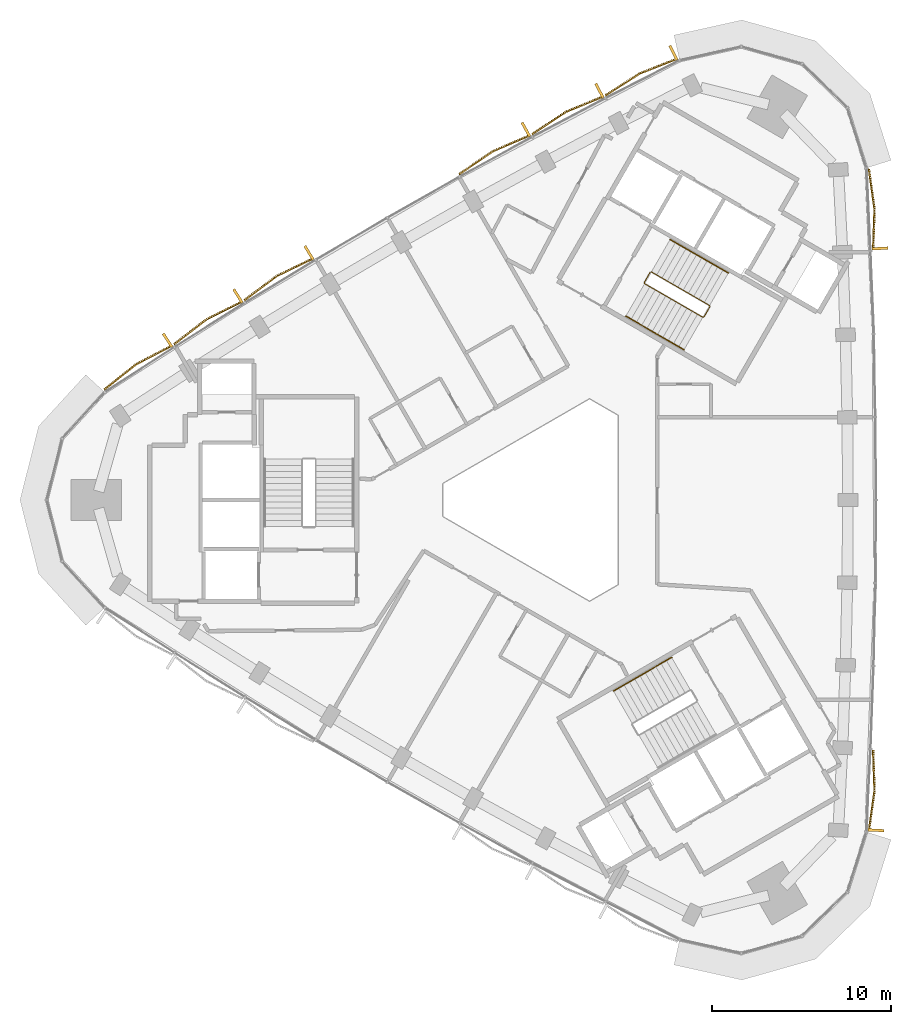
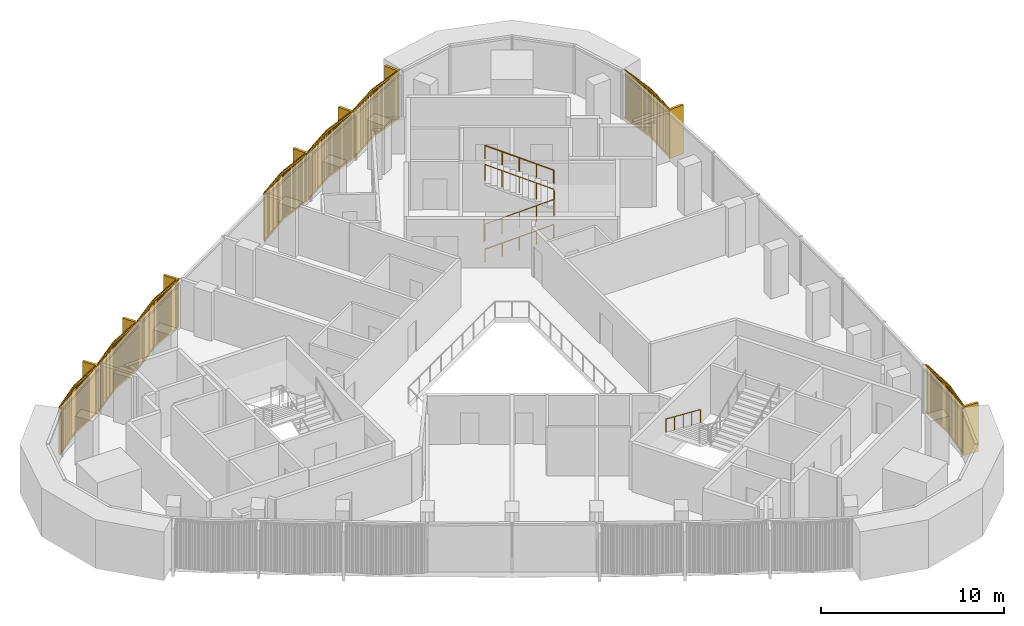
# One storey, part 13 of 14: 8 coverings, 4 railings.
"""IFC4 building model written with IfcOpenShell, lengths in metres."""

from ifc_helpers import new_model, si_unit, direction, frame, frame_2d, origin, origin_2d, place, context, subcontext, project, spatial, rectangle, circle, extrude, source, transform, mapped, material, type_object, element, save


model = new_model("IFC4")

# Units and contexts
model_context = context("Model", 3, precision=1e-05, world=origin(), true_north=direction((0.0, 1.0)))
body_context = subcontext(model_context, "Body", "Model", "MODEL_VIEW")
ifc_project = project(units=[si_unit("LENGTHUNIT", "METRE"), si_unit("AREAUNIT", "SQUARE_METRE"), si_unit("VOLUMEUNIT", "CUBIC_METRE"), si_unit("PLANEANGLEUNIT", "RADIAN"), si_unit("MASSUNIT", "GRAM", prefix="KILO")], contexts=[model_context])

# Site, building, storey
site_placement = place(None, origin())
site = spatial("IfcSite", under=ifc_project, at=site_placement, CompositionType="ELEMENT")
building_placement = place(site_placement, origin())
building = spatial("IfcBuilding", under=site, at=building_placement, Name="Tamra Quay Hotel Tower", CompositionType="ELEMENT")
storey_placement = place(building_placement, frame((0.0, 0.0, 228.60009765625)))
storey = spatial("IfcBuildingStorey", under=building, at=storey_placement, Name="L57", CompositionType="ELEMENT", Elevation=228.60009765625)

# Railings
ifc_material_1 = material(Name="Stair guard 1100")
railing_type_1 = type_object("IfcRailingType", Name="Stair guard 1100", PredefinedType="GUARDRAIL", material=ifc_material_1)
railing_1_placement = place(storey_placement, frame((5.595458984375, 12.751953125, 0.0)))
element("IfcRailing", 1, at=railing_1_placement, inside=storey, type_object=railing_type_1, Name="GR", PredefinedType="GUARDRAIL", context=body_context, shape_type="SweptSolid", body=[
    extrude(circle(Radius=0.02392578125, at=origin_2d()), frame((0.0, 0.0, 1.076171875), z_axis=(-0.499765215335, -0.866160914346, 0.0), x_axis=(0.866160914346, -0.499765215335, 0.0)), (0.0, 0.0, 1.0), 0.658935546875),
    extrude(circle(Radius=0.02392578125, at=origin_2d()), frame((-0.329345703125, -0.57080078125, 1.076171875), z_axis=(0.110525977783, -0.411156637351, 0.904839338113), x_axis=(0.965715946433, 0.259601060869, 0.0)), (0.0, 0.0, 1.0), 0.165771484375),
    extrude(circle(Radius=0.02392578125, at=origin_2d()), frame((-0.31103515625, -0.638916015625, 1.22607421875), z_axis=(0.793078462799, -0.457933869594, 0.401650498471), x_axis=(0.500040788363, 0.866001853331, 0.0)), (0.0, 0.0, 1.0), 4.10791015625),
    extrude(circle(Radius=0.02392578125, at=origin_2d()), frame((2.94677734375, -2.52001953125, 2.8759765625), z_axis=(0.965948051503, 0.258736085224, 0.0), x_axis=(-0.258736085224, 0.965948051503, 0.0)), (0.0, 0.0, 1.0), 0.07080078125),
    extrude(circle(Radius=0.02392578125, at=origin_2d()), frame((3.01513671875, -2.501708984375, 2.8759765625), z_axis=(0.500043078269, 0.866000531106, 0.0), x_axis=(-0.866000531106, 0.500043078269, 0.0)), (0.0, 0.0, 1.0), 0.6591796875),
    extrude(circle(Radius=0.02392578125, at=origin_2d()), frame((3.3447265625, -1.930908203125, 2.8759765625), z_axis=(-0.110378772244, 0.410609032747, 0.905105932399), x_axis=(-0.965715946433, -0.259601060869, 0.0)), (0.0, 0.0, 1.0), 0.165771484375),
    extrude(circle(Radius=0.02392578125, at=origin_2d()), frame((3.326416015625, -1.86279296875, 3.02587890625), z_axis=(-0.793100512587, 0.457912285461, 0.401631567183), x_axis=(-0.500012686397, -0.866018079166, 0.0)), (0.0, 0.0, 1.0), 4.10791015625),
    extrude(circle(Radius=0.02099609375, at=origin_2d()), origin(), (0.0, 0.0, 1.0), 1.052001953125),
    extrude(circle(Radius=0.02099609375, at=origin_2d()), frame((-0.329345703125, -0.57080078125, 0.0)), (0.0, 0.0, 1.0), 1.052001953125),
    extrude(circle(Radius=0.02099609375, at=origin_2d()), frame((-0.31103515625, -0.638916015625, 0.14990234375)), (0.0, 0.0, 1.0), 1.052001953125),
    extrude(circle(Radius=0.02099609375, at=origin_2d()), frame((0.50341796875, -1.109130859375, 0.5625)), (0.0, 0.0, 1.0), 1.052001953125),
    extrude(circle(Radius=0.02099609375, at=origin_2d()), frame((1.31787109375, -1.57958984375, 0.974853515625)), (0.0, 0.0, 1.0), 1.052001953125),
    extrude(circle(Radius=0.02099609375, at=origin_2d()), frame((2.13232421875, -2.0498046875, 1.38720703125)), (0.0, 0.0, 1.0), 1.052001953125),
    extrude(circle(Radius=0.02099609375, at=origin_2d()), frame((2.94677734375, -2.52001953125, 1.7998046875)), (0.0, 0.0, 1.0), 1.052001953125),
    extrude(circle(Radius=0.02099609375, at=origin_2d()), frame((3.01513671875, -2.501708984375, 1.7998046875)), (0.0, 0.0, 1.0), 1.052001953125),
    extrude(circle(Radius=0.02099609375, at=origin_2d()), frame((3.3447265625, -1.930908203125, 1.7998046875)), (0.0, 0.0, 1.0), 1.052001953125),
    extrude(circle(Radius=0.02099609375, at=origin_2d()), frame((3.326416015625, -1.86279296875, 1.949951171875)), (0.0, 0.0, 1.0), 1.052001953125),
    extrude(circle(Radius=0.02099609375, at=origin_2d()), frame((2.511962890625, -1.392578125, 2.3623046875)), (0.0, 0.0, 1.0), 1.052001953125),
    extrude(circle(Radius=0.02099609375, at=origin_2d()), frame((1.697265625, -0.92236328125, 2.77490234375)), (0.0, 0.0, 1.0), 1.052001953125),
    extrude(circle(Radius=0.02099609375, at=origin_2d()), frame((0.8828125, -0.451904296875, 3.1875)), (0.0, 0.0, 1.0), 1.052001953125),
    extrude(circle(Radius=0.02099609375, at=origin_2d()), frame((0.068359375, 0.018310546875, 3.599853515625)), (0.0, 0.0, 1.0), 1.052001953125),
])
ifc_material_2 = material(Name="Stair handrail 900")
railing_type_2 = type_object("IfcRailingType", Name="Stair handrail 900", PredefinedType="HANDRAIL", material=ifc_material_2)
railing_2_placement = place(storey_placement, frame((4.234375, 10.294189453125, 0.14990234375)))
element("IfcRailing", 2, at=railing_2_placement, inside=storey, type_object=railing_type_2, Name="HR", PredefinedType="HANDRAIL", context=body_context, shape_type="SweptSolid", body=[
    extrude(circle(Radius=0.02392578125, at=origin_2d()), frame((0.0, 0.0, 0.8759765625), z_axis=(0.793122095483, -0.45786531462, 0.401642496911), x_axis=(0.499964013922, 0.86604617936, 0.0)), (0.0, 0.0, 1.0), 4.10791015625),
    extrude(circle(Radius=0.02099609375, at=origin_2d()), origin(), (0.0, 0.0, 1.0), 0.851806640625),
    extrude(circle(Radius=0.02099609375, at=origin_2d()), frame((0.814453125, -0.47021484375, 0.41259765625)), (0.0, 0.0, 1.0), 0.851806640625),
    extrude(circle(Radius=0.02099609375, at=origin_2d()), frame((1.62890625, -0.9404296875, 0.824951171875)), (0.0, 0.0, 1.0), 0.851806640625),
    extrude(circle(Radius=0.02099609375, at=origin_2d()), frame((2.443603515625, -1.41064453125, 1.2373046875)), (0.0, 0.0, 1.0), 0.851806640625),
    extrude(circle(Radius=0.02099609375, at=origin_2d()), frame((3.258056640625, -1.880859375, 1.64990234375)), (0.0, 0.0, 1.0), 0.851806640625),
])
railing_3_placement = place(storey_placement, frame((9.971923828125, 12.7080078125, 1.949951171875)))
element("IfcRailing", 3, at=railing_3_placement, inside=storey, type_object=railing_type_2, Name="HR", PredefinedType="HANDRAIL", context=body_context, shape_type="SweptSolid", body=[
    extrude(circle(Radius=0.02392578125, at=origin_2d()), frame((0.0, 0.0, 0.8759765625), z_axis=(-0.793122095483, 0.45786531462, 0.401642496911), x_axis=(-0.499964013922, -0.86604617936, 0.0)), (0.0, 0.0, 1.0), 4.10791015625),
    extrude(circle(Radius=0.02099609375, at=origin_2d()), origin(), (0.0, 0.0, 1.0), 0.851806640625),
    extrude(circle(Radius=0.02099609375, at=origin_2d()), frame((-0.814453125, 0.47021484375, 0.41259765625)), (0.0, 0.0, 1.0), 0.851806640625),
    extrude(circle(Radius=0.02099609375, at=origin_2d()), frame((-1.62890625, 0.9404296875, 0.824951171875)), (0.0, 0.0, 1.0), 0.851806640625),
    extrude(circle(Radius=0.02099609375, at=origin_2d()), frame((-2.443603515625, 1.41064453125, 1.2373046875)), (0.0, 0.0, 1.0), 0.851806640625),
    extrude(circle(Radius=0.02099609375, at=origin_2d()), frame((-3.258056640625, 1.880859375, 1.64990234375)), (0.0, 0.0, 1.0), 0.851806640625),
])
railing_4_placement = place(storey_placement, frame((6.7978515625, -8.814208984375, 0.14990234375)))
element("IfcRailing", 4, at=railing_4_placement, inside=storey, type_object=railing_type_2, Name="HR", PredefinedType="HANDRAIL", context=body_context, shape_type="SweptSolid", body=[
    extrude(circle(Radius=0.02392578125, at=origin_2d()), frame((0.0, 0.0, 0.8759765625), z_axis=(-0.79310004713, -0.457886897714, 0.401661429744), x_axis=(0.499992114976, -0.866029956157, 0.0)), (0.0, 0.0, 1.0), 4.107666015625),
    extrude(circle(Radius=0.02099609375, at=origin_2d()), origin(), (0.0, 0.0, 1.0), 0.851806640625),
    extrude(circle(Radius=0.02099609375, at=origin_2d()), frame((-0.814453125, -0.47021484375, 0.41259765625)), (0.0, 0.0, 1.0), 0.851806640625),
    extrude(circle(Radius=0.02099609375, at=origin_2d()), frame((-1.62890625, -0.9404296875, 0.824951171875)), (0.0, 0.0, 1.0), 0.851806640625),
    extrude(circle(Radius=0.02099609375, at=origin_2d()), frame((-2.443359375, -1.41064453125, 1.2373046875)), (0.0, 0.0, 1.0), 0.851806640625),
    extrude(circle(Radius=0.02099609375, at=origin_2d()), frame((-3.2578125, -1.880859375, 1.64990234375)), (0.0, 0.0, 1.0), 0.851806640625),
])

# Coverings
ifc_material_3 = material(Name="Terracotta baguette extruded", Category="masonry")
covering_type_1 = type_object("IfcCoveringType", Name="BAGUETTE SCREEN E-V H3250", PredefinedType="USERDEFINED", material=ifc_material_3)
shared_shape_1 = source(origin(), body_context, "Body", "SweptSolid", [
    extrude(rectangle(XDim=2.291259765625, YDim=0.06005859375, at=frame_2d((1.1455078125, 0.030029296875))), frame((-2.287841796875, -0.057861328125, -0.1201171875), z_axis=(0.0, 0.0, 1.0), x_axis=(0.996194698092, -0.087155742748, 0.0)), (0.0, 0.0, 1.0), 0.1201171875),
    extrude(rectangle(XDim=2.291259765625, YDim=0.06005859375, at=frame_2d((1.1455078125, 0.030029296875))), frame((-2.287841796875, -0.057861328125, -3.25), z_axis=(0.0, 0.0, 1.0), x_axis=(0.996194698092, -0.087155742748, 0.0)), (0.0, 0.0, 1.0), 0.1201171875),
    extrude(rectangle(XDim=0.070068359375, YDim=0.10009765625, at=frame_2d((0.03515625, 0.050048828125))), frame((-2.267822265625, -0.13232421875, -3.18994140625)), (0.0, 0.0, 1.0), 3.1298828125),
    extrude(rectangle(XDim=0.070068359375, YDim=0.10009765625, at=frame_2d((0.03515625, 0.050048828125))), frame((-2.168701171875, -0.14111328125, -3.18994140625)), (0.0, 0.0, 1.0), 3.1298828125),
    extrude(rectangle(XDim=0.070068359375, YDim=0.10009765625, at=frame_2d((0.03515625, 0.050048828125))), frame((-2.0693359375, -0.149658203125, -3.18994140625)), (0.0, 0.0, 1.0), 3.1298828125),
    extrude(rectangle(XDim=0.070068359375, YDim=0.10009765625, at=frame_2d((0.03515625, 0.050048828125))), frame((-1.97021484375, -0.158447265625, -3.18994140625)), (0.0, 0.0, 1.0), 3.1298828125),
    extrude(rectangle(XDim=0.070068359375, YDim=0.10009765625, at=frame_2d((0.03515625, 0.050048828125))), frame((-1.870849609375, -0.1669921875, -3.18994140625)), (0.0, 0.0, 1.0), 3.1298828125),
    extrude(rectangle(XDim=0.070068359375, YDim=0.10009765625, at=frame_2d((0.03515625, 0.050048828125))), frame((-1.771728515625, -0.17578125, -3.18994140625)), (0.0, 0.0, 1.0), 3.1298828125),
    extrude(rectangle(XDim=0.070068359375, YDim=0.10009765625, at=frame_2d((0.03515625, 0.050048828125))), frame((-1.67236328125, -0.184326171875, -3.18994140625)), (0.0, 0.0, 1.0), 3.1298828125),
    extrude(rectangle(XDim=0.070068359375, YDim=0.10009765625, at=frame_2d((0.03515625, 0.050048828125))), frame((-1.5732421875, -0.193115234375, -3.18994140625)), (0.0, 0.0, 1.0), 3.1298828125),
    extrude(rectangle(XDim=0.070068359375, YDim=0.10009765625, at=frame_2d((0.03515625, 0.050048828125))), frame((-1.473876953125, -0.201904296875, -3.18994140625)), (0.0, 0.0, 1.0), 3.1298828125),
    extrude(rectangle(XDim=0.070068359375, YDim=0.10009765625, at=frame_2d((0.03515625, 0.050048828125))), frame((-1.374755859375, -0.21044921875, -3.18994140625)), (0.0, 0.0, 1.0), 3.1298828125),
    extrude(rectangle(XDim=0.070068359375, YDim=0.10009765625, at=frame_2d((0.03515625, 0.050048828125))), frame((-1.275390625, -0.21923828125, -3.18994140625)), (0.0, 0.0, 1.0), 3.1298828125),
    extrude(rectangle(XDim=0.070068359375, YDim=0.10009765625, at=frame_2d((0.03515625, 0.050048828125))), frame((-1.17626953125, -0.227783203125, -3.18994140625)), (0.0, 0.0, 1.0), 3.1298828125),
    extrude(rectangle(XDim=0.070068359375, YDim=0.10009765625, at=frame_2d((0.03515625, 0.050048828125))), frame((-1.076904296875, -0.236572265625, -3.18994140625)), (0.0, 0.0, 1.0), 3.1298828125),
    extrude(rectangle(XDim=0.070068359375, YDim=0.10009765625, at=frame_2d((0.03515625, 0.050048828125))), frame((-0.977783203125, -0.2451171875, -3.18994140625)), (0.0, 0.0, 1.0), 3.1298828125),
    extrude(rectangle(XDim=0.070068359375, YDim=0.10009765625, at=frame_2d((0.03515625, 0.050048828125))), frame((-0.87841796875, -0.25390625, -3.18994140625)), (0.0, 0.0, 1.0), 3.1298828125),
    extrude(rectangle(XDim=0.070068359375, YDim=0.10009765625, at=frame_2d((0.03515625, 0.050048828125))), frame((-0.779296875, -0.2626953125, -3.18994140625)), (0.0, 0.0, 1.0), 3.1298828125),
    extrude(rectangle(XDim=0.070068359375, YDim=0.10009765625, at=frame_2d((0.03515625, 0.050048828125))), frame((-0.679931640625, -0.271240234375, -3.18994140625)), (0.0, 0.0, 1.0), 3.1298828125),
    extrude(rectangle(XDim=0.070068359375, YDim=0.10009765625, at=frame_2d((0.03515625, 0.050048828125))), frame((-0.580810546875, -0.280029296875, -3.18994140625)), (0.0, 0.0, 1.0), 3.1298828125),
    extrude(rectangle(XDim=0.070068359375, YDim=0.10009765625, at=frame_2d((0.03515625, 0.050048828125))), frame((-0.481689453125, -0.28857421875, -3.18994140625)), (0.0, 0.0, 1.0), 3.1298828125),
    extrude(rectangle(XDim=0.070068359375, YDim=0.10009765625, at=frame_2d((0.03515625, 0.050048828125))), frame((-0.38232421875, -0.29736328125, -3.18994140625)), (0.0, 0.0, 1.0), 3.1298828125),
    extrude(rectangle(XDim=0.070068359375, YDim=0.10009765625, at=frame_2d((0.03515625, 0.050048828125))), frame((-0.283203125, -0.305908203125, -3.18994140625)), (0.0, 0.0, 1.0), 3.1298828125),
    extrude(rectangle(XDim=0.070068359375, YDim=0.10009765625, at=frame_2d((0.03515625, 0.050048828125))), frame((-0.183837890625, -0.314697265625, -3.18994140625)), (0.0, 0.0, 1.0), 3.1298828125),
    extrude(rectangle(XDim=0.070068359375, YDim=0.10009765625, at=frame_2d((0.03515625, 0.050048828125))), frame((-0.084716796875, -0.3232421875, -3.18994140625)), (0.0, 0.0, 1.0), 3.1298828125),
    extrude(rectangle(XDim=2.291259765625, YDim=0.06005859375, at=frame_2d((1.1455078125, 0.030029296875))), frame((0.005126953125, -0.257568359375, -0.1201171875), z_axis=(0.0, 0.0, 1.0), x_axis=(0.996194698092, 0.087155742748, 0.0)), (0.0, 0.0, 1.0), 0.1201171875),
    extrude(rectangle(XDim=2.291259765625, YDim=0.06005859375, at=frame_2d((1.1455078125, 0.030029296875))), frame((0.005126953125, -0.257568359375, -3.25), z_axis=(0.0, 0.0, 1.0), x_axis=(0.996194698092, 0.087155742748, 0.0)), (0.0, 0.0, 1.0), 0.1201171875),
    extrude(rectangle(XDim=0.070068359375, YDim=0.10009765625, at=frame_2d((0.03515625, 0.050048828125))), frame((0.0146484375, -0.3232421875, -3.18994140625)), (0.0, 0.0, 1.0), 3.1298828125),
    extrude(rectangle(XDim=0.070068359375, YDim=0.10009765625, at=frame_2d((0.03515625, 0.050048828125))), frame((0.11376953125, -0.314697265625, -3.18994140625)), (0.0, 0.0, 1.0), 3.1298828125),
    extrude(rectangle(XDim=0.070068359375, YDim=0.10009765625, at=frame_2d((0.03515625, 0.050048828125))), frame((0.213134765625, -0.305908203125, -3.18994140625)), (0.0, 0.0, 1.0), 3.1298828125),
    extrude(rectangle(XDim=0.070068359375, YDim=0.10009765625, at=frame_2d((0.03515625, 0.050048828125))), frame((0.312255859375, -0.29736328125, -3.18994140625)), (0.0, 0.0, 1.0), 3.1298828125),
    extrude(rectangle(XDim=0.070068359375, YDim=0.10009765625, at=frame_2d((0.03515625, 0.050048828125))), frame((0.41162109375, -0.28857421875, -3.18994140625)), (0.0, 0.0, 1.0), 3.1298828125),
    extrude(rectangle(XDim=0.070068359375, YDim=0.10009765625, at=frame_2d((0.03515625, 0.050048828125))), frame((0.5107421875, -0.280029296875, -3.18994140625)), (0.0, 0.0, 1.0), 3.1298828125),
    extrude(rectangle(XDim=0.070068359375, YDim=0.10009765625, at=frame_2d((0.03515625, 0.050048828125))), frame((0.610107421875, -0.271240234375, -3.18994140625)), (0.0, 0.0, 1.0), 3.1298828125),
    extrude(rectangle(XDim=0.070068359375, YDim=0.10009765625, at=frame_2d((0.03515625, 0.050048828125))), frame((0.709228515625, -0.2626953125, -3.18994140625)), (0.0, 0.0, 1.0), 3.1298828125),
    extrude(rectangle(XDim=0.070068359375, YDim=0.10009765625, at=frame_2d((0.03515625, 0.050048828125))), frame((0.80859375, -0.25390625, -3.18994140625)), (0.0, 0.0, 1.0), 3.1298828125),
    extrude(rectangle(XDim=0.070068359375, YDim=0.10009765625, at=frame_2d((0.03515625, 0.050048828125))), frame((0.90771484375, -0.2451171875, -3.18994140625)), (0.0, 0.0, 1.0), 3.1298828125),
    extrude(rectangle(XDim=0.070068359375, YDim=0.10009765625, at=frame_2d((0.03515625, 0.050048828125))), frame((1.007080078125, -0.236572265625, -3.18994140625)), (0.0, 0.0, 1.0), 3.1298828125),
    extrude(rectangle(XDim=0.070068359375, YDim=0.10009765625, at=frame_2d((0.03515625, 0.050048828125))), frame((1.106201171875, -0.227783203125, -3.18994140625)), (0.0, 0.0, 1.0), 3.1298828125),
    extrude(rectangle(XDim=0.070068359375, YDim=0.10009765625, at=frame_2d((0.03515625, 0.050048828125))), frame((1.20556640625, -0.21923828125, -3.18994140625)), (0.0, 0.0, 1.0), 3.1298828125),
    extrude(rectangle(XDim=0.070068359375, YDim=0.10009765625, at=frame_2d((0.03515625, 0.050048828125))), frame((1.3046875, -0.21044921875, -3.18994140625)), (0.0, 0.0, 1.0), 3.1298828125),
    extrude(rectangle(XDim=0.070068359375, YDim=0.10009765625, at=frame_2d((0.03515625, 0.050048828125))), frame((1.404052734375, -0.201904296875, -3.18994140625)), (0.0, 0.0, 1.0), 3.1298828125),
    extrude(rectangle(XDim=0.070068359375, YDim=0.10009765625, at=frame_2d((0.03515625, 0.050048828125))), frame((1.503173828125, -0.193115234375, -3.18994140625)), (0.0, 0.0, 1.0), 3.1298828125),
    extrude(rectangle(XDim=0.070068359375, YDim=0.10009765625, at=frame_2d((0.03515625, 0.050048828125))), frame((1.6025390625, -0.184326171875, -3.18994140625)), (0.0, 0.0, 1.0), 3.1298828125),
    extrude(rectangle(XDim=0.070068359375, YDim=0.10009765625, at=frame_2d((0.03515625, 0.050048828125))), frame((1.70166015625, -0.17578125, -3.18994140625)), (0.0, 0.0, 1.0), 3.1298828125),
    extrude(rectangle(XDim=0.070068359375, YDim=0.10009765625, at=frame_2d((0.03515625, 0.050048828125))), frame((1.801025390625, -0.1669921875, -3.18994140625)), (0.0, 0.0, 1.0), 3.1298828125),
    extrude(rectangle(XDim=0.070068359375, YDim=0.10009765625, at=frame_2d((0.03515625, 0.050048828125))), frame((1.900146484375, -0.158447265625, -3.18994140625)), (0.0, 0.0, 1.0), 3.1298828125),
    extrude(rectangle(XDim=0.070068359375, YDim=0.10009765625, at=frame_2d((0.03515625, 0.050048828125))), frame((1.99951171875, -0.149658203125, -3.18994140625)), (0.0, 0.0, 1.0), 3.1298828125),
    extrude(rectangle(XDim=0.070068359375, YDim=0.10009765625, at=frame_2d((0.03515625, 0.050048828125))), frame((2.0986328125, -0.14111328125, -3.18994140625)), (0.0, 0.0, 1.0), 3.1298828125),
    extrude(rectangle(XDim=0.070068359375, YDim=0.10009765625, at=frame_2d((0.03515625, 0.050048828125))), frame((2.197998046875, -0.13232421875, -3.18994140625)), (0.0, 0.0, 1.0), 3.1298828125),
    extrude(rectangle(XDim=0.14990234375, YDim=0.902099609375, at=frame_2d((0.074951171875, 0.451171875))), frame((-2.282470703125, -0.89990234375, -3.25)), (0.0, 0.0, 1.0), 3.25),
])
for number, where, z_axis, x_axis, name in (
    (5, (17.899169921875, -16.26611328125, 3.25), (0.0, 0.0, 1.0), (0.051403368539, 0.998677972974, 0.0), "Baguette screen L57.E.f00"),
    (6, (17.899169921875, 16.26611328125, 3.25), (0.0, 0.0, 1.0), (-0.051403368539, 0.998677972974, 0.0), "Baguette screen L57.E.f07"),
):
    element("IfcCovering", number, at=place(storey_placement, frame(where, z_axis=z_axis, x_axis=x_axis)), inside=storey, type_object=covering_type_1, Name=name, ObjectType="BAGUETTE SCREEN", PredefinedType="USERDEFINED", context=body_context, shape_type="MappedRepresentation", body=[
        mapped(shared_shape_1, transform((0.0, 0.0, 0.0), scale=1.0)),
    ])
covering_type_2 = type_object("IfcCoveringType", Name="BAGUETTE SCREEN NW-V H3250", PredefinedType="USERDEFINED", material=ifc_material_3)
shared_shape_2 = source(origin(), body_context, "Body", "SweptSolid", [
    extrude(rectangle(XDim=2.29296875, YDim=0.06005859375, at=frame_2d((1.146484375, 0.030029296875))), frame((-2.288330078125, -0.0576171875, -0.1201171875), z_axis=(0.0, 0.0, 1.0), x_axis=(0.995396198367, -0.09584575252, 0.0)), (0.0, 0.0, 1.0), 0.1201171875),
    extrude(rectangle(XDim=2.29296875, YDim=0.06005859375, at=frame_2d((1.146484375, 0.030029296875))), frame((-2.288330078125, -0.0576171875, -3.25), z_axis=(0.0, 0.0, 1.0), x_axis=(0.995396198367, -0.09584575252, 0.0)), (0.0, 0.0, 1.0), 0.1201171875),
    extrude(rectangle(XDim=0.070068359375, YDim=0.10009765625, at=frame_2d((0.03515625, 0.050048828125))), frame((-2.267822265625, -0.1328125, -3.18994140625)), (0.0, 0.0, 1.0), 3.1298828125),
    extrude(rectangle(XDim=0.070068359375, YDim=0.10009765625, at=frame_2d((0.03515625, 0.050048828125))), frame((-2.168701171875, -0.142333984375, -3.18994140625)), (0.0, 0.0, 1.0), 3.1298828125),
    extrude(rectangle(XDim=0.070068359375, YDim=0.10009765625, at=frame_2d((0.03515625, 0.050048828125))), frame((-2.0693359375, -0.15185546875, -3.18994140625)), (0.0, 0.0, 1.0), 3.1298828125),
    extrude(rectangle(XDim=0.070068359375, YDim=0.10009765625, at=frame_2d((0.03515625, 0.050048828125))), frame((-1.97021484375, -0.161376953125, -3.18994140625)), (0.0, 0.0, 1.0), 3.1298828125),
    extrude(rectangle(XDim=0.070068359375, YDim=0.10009765625, at=frame_2d((0.03515625, 0.050048828125))), frame((-1.870849609375, -0.1708984375, -3.18994140625)), (0.0, 0.0, 1.0), 3.1298828125),
    extrude(rectangle(XDim=0.070068359375, YDim=0.10009765625, at=frame_2d((0.03515625, 0.050048828125))), frame((-1.771728515625, -0.1806640625, -3.18994140625)), (0.0, 0.0, 1.0), 3.1298828125),
    extrude(rectangle(XDim=0.070068359375, YDim=0.10009765625, at=frame_2d((0.03515625, 0.050048828125))), frame((-1.67236328125, -0.190185546875, -3.18994140625)), (0.0, 0.0, 1.0), 3.1298828125),
    extrude(rectangle(XDim=0.070068359375, YDim=0.10009765625, at=frame_2d((0.03515625, 0.050048828125))), frame((-1.5732421875, -0.19970703125, -3.18994140625)), (0.0, 0.0, 1.0), 3.1298828125),
    extrude(rectangle(XDim=0.070068359375, YDim=0.10009765625, at=frame_2d((0.03515625, 0.050048828125))), frame((-1.473876953125, -0.209228515625, -3.18994140625)), (0.0, 0.0, 1.0), 3.1298828125),
    extrude(rectangle(XDim=0.070068359375, YDim=0.10009765625, at=frame_2d((0.03515625, 0.050048828125))), frame((-1.374755859375, -0.21875, -3.18994140625)), (0.0, 0.0, 1.0), 3.1298828125),
    extrude(rectangle(XDim=0.070068359375, YDim=0.10009765625, at=frame_2d((0.03515625, 0.050048828125))), frame((-1.275390625, -0.228271484375, -3.18994140625)), (0.0, 0.0, 1.0), 3.1298828125),
    extrude(rectangle(XDim=0.070068359375, YDim=0.10009765625, at=frame_2d((0.03515625, 0.050048828125))), frame((-1.17626953125, -0.23779296875, -3.18994140625)), (0.0, 0.0, 1.0), 3.1298828125),
    extrude(rectangle(XDim=0.070068359375, YDim=0.10009765625, at=frame_2d((0.03515625, 0.050048828125))), frame((-1.076904296875, -0.24755859375, -3.18994140625)), (0.0, 0.0, 1.0), 3.1298828125),
    extrude(rectangle(XDim=0.070068359375, YDim=0.10009765625, at=frame_2d((0.03515625, 0.050048828125))), frame((-0.977783203125, -0.257080078125, -3.18994140625)), (0.0, 0.0, 1.0), 3.1298828125),
    extrude(rectangle(XDim=0.070068359375, YDim=0.10009765625, at=frame_2d((0.03515625, 0.050048828125))), frame((-0.87841796875, -0.2666015625, -3.18994140625)), (0.0, 0.0, 1.0), 3.1298828125),
    extrude(rectangle(XDim=0.070068359375, YDim=0.10009765625, at=frame_2d((0.03515625, 0.050048828125))), frame((-0.779296875, -0.276123046875, -3.18994140625)), (0.0, 0.0, 1.0), 3.1298828125),
    extrude(rectangle(XDim=0.070068359375, YDim=0.10009765625, at=frame_2d((0.03515625, 0.050048828125))), frame((-0.679931640625, -0.28564453125, -3.18994140625)), (0.0, 0.0, 1.0), 3.1298828125),
    extrude(rectangle(XDim=0.070068359375, YDim=0.10009765625, at=frame_2d((0.03515625, 0.050048828125))), frame((-0.580810546875, -0.295166015625, -3.18994140625)), (0.0, 0.0, 1.0), 3.1298828125),
    extrude(rectangle(XDim=0.070068359375, YDim=0.10009765625, at=frame_2d((0.03515625, 0.050048828125))), frame((-0.481689453125, -0.3046875, -3.18994140625)), (0.0, 0.0, 1.0), 3.1298828125),
    extrude(rectangle(XDim=0.070068359375, YDim=0.10009765625, at=frame_2d((0.03515625, 0.050048828125))), frame((-0.38232421875, -0.314453125, -3.18994140625)), (0.0, 0.0, 1.0), 3.1298828125),
    extrude(rectangle(XDim=0.070068359375, YDim=0.10009765625, at=frame_2d((0.03515625, 0.050048828125))), frame((-0.283203125, -0.323974609375, -3.18994140625)), (0.0, 0.0, 1.0), 3.1298828125),
    extrude(rectangle(XDim=0.070068359375, YDim=0.10009765625, at=frame_2d((0.03515625, 0.050048828125))), frame((-0.183837890625, -0.33349609375, -3.18994140625)), (0.0, 0.0, 1.0), 3.1298828125),
    extrude(rectangle(XDim=0.070068359375, YDim=0.10009765625, at=frame_2d((0.03515625, 0.050048828125))), frame((-0.084716796875, -0.343017578125, -3.18994140625)), (0.0, 0.0, 1.0), 3.1298828125),
    extrude(rectangle(XDim=2.29296875, YDim=0.06005859375, at=frame_2d((1.146484375, 0.030029296875))), frame((0.005859375, -0.277587890625, -0.1201171875), z_axis=(0.0, 0.0, 1.0), x_axis=(0.995396198367, 0.09584575252, 0.0)), (0.0, 0.0, 1.0), 0.1201171875),
    extrude(rectangle(XDim=2.29296875, YDim=0.06005859375, at=frame_2d((1.146484375, 0.030029296875))), frame((0.005859375, -0.277587890625, -3.25), z_axis=(0.0, 0.0, 1.0), x_axis=(0.995396198367, 0.09584575252, 0.0)), (0.0, 0.0, 1.0), 0.1201171875),
    extrude(rectangle(XDim=0.070068359375, YDim=0.10009765625, at=frame_2d((0.03515625, 0.050048828125))), frame((0.0146484375, -0.343017578125, -3.18994140625)), (0.0, 0.0, 1.0), 3.1298828125),
    extrude(rectangle(XDim=0.070068359375, YDim=0.10009765625, at=frame_2d((0.03515625, 0.050048828125))), frame((0.11376953125, -0.33349609375, -3.18994140625)), (0.0, 0.0, 1.0), 3.1298828125),
    extrude(rectangle(XDim=0.070068359375, YDim=0.10009765625, at=frame_2d((0.03515625, 0.050048828125))), frame((0.213134765625, -0.323974609375, -3.18994140625)), (0.0, 0.0, 1.0), 3.1298828125),
    extrude(rectangle(XDim=0.070068359375, YDim=0.10009765625, at=frame_2d((0.03515625, 0.050048828125))), frame((0.312255859375, -0.314453125, -3.18994140625)), (0.0, 0.0, 1.0), 3.1298828125),
    extrude(rectangle(XDim=0.070068359375, YDim=0.10009765625, at=frame_2d((0.03515625, 0.050048828125))), frame((0.41162109375, -0.3046875, -3.18994140625)), (0.0, 0.0, 1.0), 3.1298828125),
    extrude(rectangle(XDim=0.070068359375, YDim=0.10009765625, at=frame_2d((0.03515625, 0.050048828125))), frame((0.5107421875, -0.295166015625, -3.18994140625)), (0.0, 0.0, 1.0), 3.1298828125),
    extrude(rectangle(XDim=0.070068359375, YDim=0.10009765625, at=frame_2d((0.03515625, 0.050048828125))), frame((0.610107421875, -0.28564453125, -3.18994140625)), (0.0, 0.0, 1.0), 3.1298828125),
    extrude(rectangle(XDim=0.070068359375, YDim=0.10009765625, at=frame_2d((0.03515625, 0.050048828125))), frame((0.709228515625, -0.276123046875, -3.18994140625)), (0.0, 0.0, 1.0), 3.1298828125),
    extrude(rectangle(XDim=0.070068359375, YDim=0.10009765625, at=frame_2d((0.03515625, 0.050048828125))), frame((0.80859375, -0.2666015625, -3.18994140625)), (0.0, 0.0, 1.0), 3.1298828125),
    extrude(rectangle(XDim=0.070068359375, YDim=0.10009765625, at=frame_2d((0.03515625, 0.050048828125))), frame((0.90771484375, -0.257080078125, -3.18994140625)), (0.0, 0.0, 1.0), 3.1298828125),
    extrude(rectangle(XDim=0.070068359375, YDim=0.10009765625, at=frame_2d((0.03515625, 0.050048828125))), frame((1.007080078125, -0.24755859375, -3.18994140625)), (0.0, 0.0, 1.0), 3.1298828125),
    extrude(rectangle(XDim=0.070068359375, YDim=0.10009765625, at=frame_2d((0.03515625, 0.050048828125))), frame((1.106201171875, -0.23779296875, -3.18994140625)), (0.0, 0.0, 1.0), 3.1298828125),
    extrude(rectangle(XDim=0.070068359375, YDim=0.10009765625, at=frame_2d((0.03515625, 0.050048828125))), frame((1.20556640625, -0.228271484375, -3.18994140625)), (0.0, 0.0, 1.0), 3.1298828125),
    extrude(rectangle(XDim=0.070068359375, YDim=0.10009765625, at=frame_2d((0.03515625, 0.050048828125))), frame((1.3046875, -0.21875, -3.18994140625)), (0.0, 0.0, 1.0), 3.1298828125),
    extrude(rectangle(XDim=0.070068359375, YDim=0.10009765625, at=frame_2d((0.03515625, 0.050048828125))), frame((1.404052734375, -0.209228515625, -3.18994140625)), (0.0, 0.0, 1.0), 3.1298828125),
    extrude(rectangle(XDim=0.070068359375, YDim=0.10009765625, at=frame_2d((0.03515625, 0.050048828125))), frame((1.503173828125, -0.19970703125, -3.18994140625)), (0.0, 0.0, 1.0), 3.1298828125),
    extrude(rectangle(XDim=0.070068359375, YDim=0.10009765625, at=frame_2d((0.03515625, 0.050048828125))), frame((1.6025390625, -0.190185546875, -3.18994140625)), (0.0, 0.0, 1.0), 3.1298828125),
    extrude(rectangle(XDim=0.070068359375, YDim=0.10009765625, at=frame_2d((0.03515625, 0.050048828125))), frame((1.70166015625, -0.1806640625, -3.18994140625)), (0.0, 0.0, 1.0), 3.1298828125),
    extrude(rectangle(XDim=0.070068359375, YDim=0.10009765625, at=frame_2d((0.03515625, 0.050048828125))), frame((1.801025390625, -0.1708984375, -3.18994140625)), (0.0, 0.0, 1.0), 3.1298828125),
    extrude(rectangle(XDim=0.070068359375, YDim=0.10009765625, at=frame_2d((0.03515625, 0.050048828125))), frame((1.900146484375, -0.161376953125, -3.18994140625)), (0.0, 0.0, 1.0), 3.1298828125),
    extrude(rectangle(XDim=0.070068359375, YDim=0.10009765625, at=frame_2d((0.03515625, 0.050048828125))), frame((1.99951171875, -0.15185546875, -3.18994140625)), (0.0, 0.0, 1.0), 3.1298828125),
    extrude(rectangle(XDim=0.070068359375, YDim=0.10009765625, at=frame_2d((0.03515625, 0.050048828125))), frame((2.0986328125, -0.142333984375, -3.18994140625)), (0.0, 0.0, 1.0), 3.1298828125),
    extrude(rectangle(XDim=0.070068359375, YDim=0.10009765625, at=frame_2d((0.03515625, 0.050048828125))), frame((2.197998046875, -0.1328125, -3.18994140625)), (0.0, 0.0, 1.0), 3.1298828125),
    extrude(rectangle(XDim=0.14990234375, YDim=0.902099609375, at=frame_2d((0.074951171875, 0.451171875))), frame((-2.282470703125, -0.89990234375, -3.25)), (0.0, 0.0, 1.0), 3.25),
])
for number, where, z_axis, x_axis, name in (
    (7, (5.13720703125, 23.63427734375, 3.25), (0.0, 0.0, 1.0), (-0.890582179064, -0.454822363492, 0.0), "Baguette screen L57.NW.f00"),
    (8, (1.01220703125, 21.4892578125, 3.25), (0.0, 0.0, 1.0), (-0.883812893566, -0.467840538183, 0.0), "Baguette screen L57.NW.f01"),
    (9, (-3.0810546875, 19.283935546875, 3.25), (0.0, 0.0, 1.0), (-0.876846042151, -0.480771274479, 0.0), "Baguette screen L57.NW.f02"),
    (10, (-15.159912109375, 12.31005859375, 3.25), (0.0, 0.0, 1.0), (-0.854783158184, -0.518985310471, 0.0), "Baguette screen L57.NW.f05"),
    (11, (-19.1162109375, 9.8681640625, 3.25), (0.0, 0.0, 1.0), (-0.847068237769, -0.531484148929, 0.0), "Baguette screen L57.NW.f06"),
    (12, (-23.036376953125, 7.3681640625, 3.25), (0.0, 0.0, 1.0), (-0.839178810526, -0.543855609481, 0.0), "Baguette screen L57.NW.f07"),
):
    element("IfcCovering", number, at=place(storey_placement, frame(where, z_axis=z_axis, x_axis=x_axis)), inside=storey, type_object=covering_type_2, Name=name, ObjectType="BAGUETTE SCREEN", PredefinedType="USERDEFINED", context=body_context, shape_type="MappedRepresentation", body=[
        mapped(shared_shape_2, transform((0.0, 0.0, 0.0), scale=1.0)),
    ])

save(model, "model.ifc")
